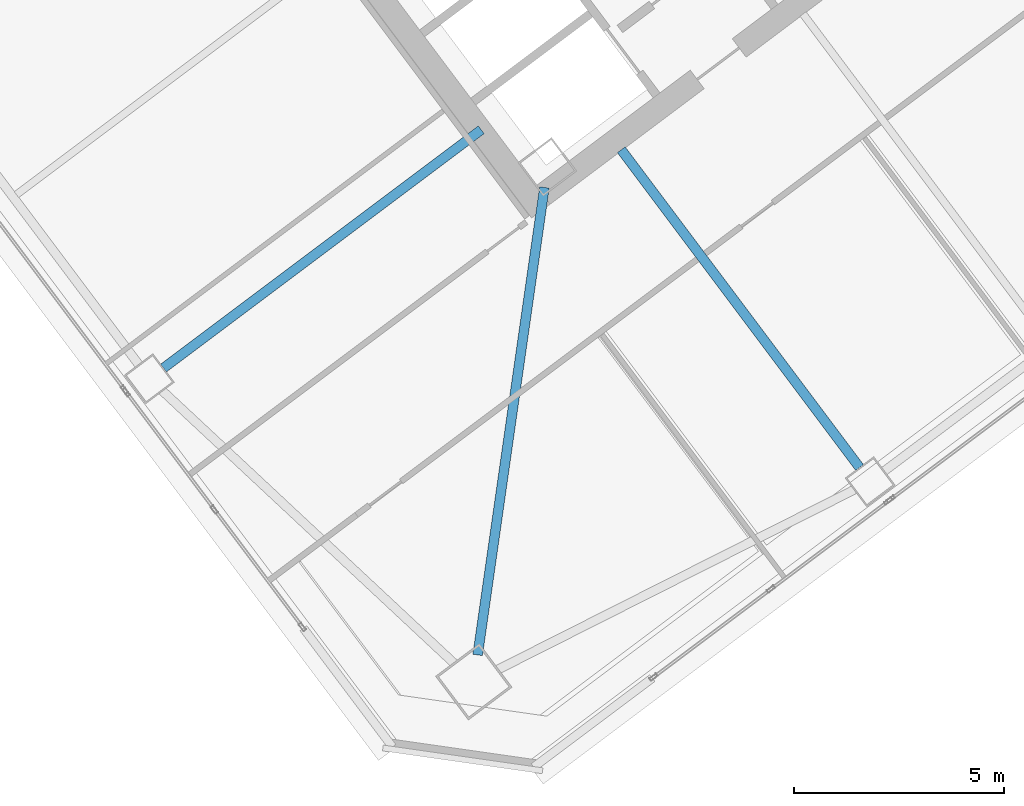
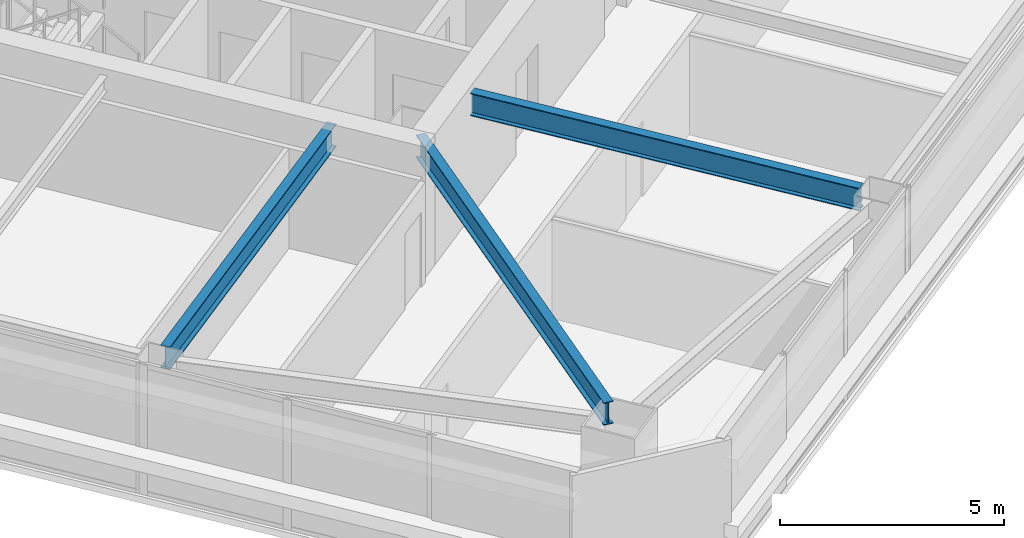
# One storey, part 19 of 44: 3 beams.
"""IFC4 building model written with IfcOpenShell, lengths in metres."""

import ifcopenshell
import ifcopenshell.guid

model = None  # the IFC model being written
_history = None  # IfcOwnerHistory: only IFC2X3 demands one
_inside = {}  # id of a spatial element -> (the spatial element, [elements in it])
_under = {}  # id of a project, library or spatial element -> (it, [spatial elements below it])
_declared = {}  # id of a project -> (the project, [libraries it declares])
_typed = {}  # id of a type object -> (the type object, [elements of that type])
_made_of = {}  # id of a material, layer set ... -> (it, [elements and type objects made of it])


def new_model(schema):
    """Start an empty IFC model of exactly this schema.

    Asked for "IFC4X3", IfcOpenShell would pick the latest addendum, in which some entities
    have other attributes; the version numbers below select the first issue.
    IFC2X3 requires an IfcOwnerHistory on every rooted entity: one is made here for all.
    """
    global model, _history
    if schema == "IFC4X3":
        model = ifcopenshell.file(schema_version=(4, 3, 0, 0))
    else:
        model = ifcopenshell.file(schema=schema)
    _inside.clear()
    _under.clear()
    _declared.clear()
    _typed.clear()
    _made_of.clear()
    _history = None
    if model.schema == "IFC2X3":
        org = make("IfcOrganization", Name="unknown")
        user = make(
            "IfcPersonAndOrganization",
            ThePerson=make("IfcPerson", FamilyName="unknown"),
            TheOrganization=org,
        )
        app = make(
            "IfcApplication",
            ApplicationDeveloper=org,
            Version="unknown",
            ApplicationFullName="unknown",
            ApplicationIdentifier="unknown",
        )
        _history = make(
            "IfcOwnerHistory",
            OwningUser=user,
            OwningApplication=app,
            ChangeAction="ADDED",
            CreationDate=0,
        )
    return model


def make(cls, **values):
    """One entity of the class cls with the attributes given. An attribute that is None is left unset."""
    return model.create_entity(
        cls, **{name: value for name, value in values.items() if value is not None}
    )


def rooted(cls, **values):
    """An entity with a GlobalId (a new one), such as an element, a storey or a relation."""
    return make(cls, GlobalId=ifcopenshell.guid.new(), OwnerHistory=_history, **values)


def si_unit(unit_type, name, prefix=None):
    """IfcSIUnit, for example si_unit("LENGTHUNIT", "METRE", prefix="MILLI")."""
    return make("IfcSIUnit", UnitType=unit_type, Prefix=prefix, Name=name)


def assignment(units):
    """IfcUnitAssignment: the units of a project."""
    return None if units is None else make("IfcUnitAssignment", Units=units)


def point(xyz):
    """IfcCartesianPoint."""
    return None if xyz is None else make("IfcCartesianPoint", Coordinates=xyz)


def direction(xyz):
    """IfcDirection."""
    return None if xyz is None else make("IfcDirection", DirectionRatios=xyz)


def frame(location, z_axis=None, x_axis=None):
    """IfcAxis2Placement3D, a coordinate frame: its origin and axes. An axis left out is left unset."""
    return make(
        "IfcAxis2Placement3D",
        Location=point(location),
        Axis=direction(z_axis),
        RefDirection=direction(x_axis),
    )


def frame_2d(location, x_axis=None):
    """IfcAxis2Placement2D, a coordinate frame in the plane: its origin and x axis."""
    return make(
        "IfcAxis2Placement2D", Location=point(location), RefDirection=direction(x_axis)
    )


def origin():
    """The frame at (0, 0, 0) with its axes left unset."""
    return frame((0.0, 0.0, 0.0))


def origin_2d():
    """The frame at (0, 0) in the plane with its x axis left unset."""
    return frame_2d((0.0, 0.0))


def place(relative_to, where):
    """IfcLocalPlacement: puts the frame where relative to a parent placement (None: the world)."""
    return make(
        "IfcLocalPlacement", PlacementRelTo=relative_to, RelativePlacement=where
    )


def context(
    kind, dimensions, precision=None, world=None, true_north=None, identifier=None
):
    """IfcGeometricRepresentationContext, for example the 3D "Model" context."""
    return make(
        "IfcGeometricRepresentationContext",
        ContextIdentifier=identifier,
        ContextType=kind,
        CoordinateSpaceDimension=dimensions,
        Precision=precision,
        WorldCoordinateSystem=world,
        TrueNorth=true_north,
    )


def subcontext(parent, identifier, kind, view, scale=None):
    """IfcGeometricRepresentationSubContext, for example "Body" below "Model"."""
    return make(
        "IfcGeometricRepresentationSubContext",
        ContextIdentifier=identifier,
        ContextType=kind,
        ParentContext=parent,
        TargetScale=scale,
        TargetView=view,
    )


def project(units=None, contexts=None):
    """IfcProject with its units and contexts."""
    return rooted(
        "IfcProject",
        Name="project",
        RepresentationContexts=contexts,
        UnitsInContext=assignment(units),
    )


def spatial(cls, under=None, at=None, **own):
    """A site, building, storey or space (cls), placed at a placement, below another one or the project."""
    s = rooted(cls, ObjectPlacement=at, **own)
    if under is not None:
        _under.setdefault(under.id(), (under, []))[1].append(s)
    return s


def profile(cls, at=None, kind="AREA", **sizes):
    """A parametric profile (cls). Its sizes go by their IFC names, for example OverallWidth=200.0."""
    return make(cls, ProfileType=kind, Position=at, **sizes)


def i_section(**sizes):
    """IfcIShapeProfileDef."""
    return profile("IfcIShapeProfileDef", **sizes)


def extrude(swept, where, along, depth):
    """IfcExtrudedAreaSolid: the profile swept, set in the frame where, extruded along a direction by depth."""
    return make(
        "IfcExtrudedAreaSolid",
        SweptArea=swept,
        Position=where,
        ExtrudedDirection=direction(along),
        Depth=depth,
    )


def shape(context_of_items, identifier, shape_type, items):
    """IfcShapeRepresentation: the items that make up one representation, for example the "Body"."""
    return make(
        "IfcShapeRepresentation",
        ContextOfItems=context_of_items,
        RepresentationIdentifier=identifier,
        RepresentationType=shape_type,
        Items=items,
    )


def material(Name=None, Category=None):
    """IfcMaterial."""
    return make("IfcMaterial", Name=Name, Category=Category)


def material_profile(
    of_material, cross_section, Name=None, Category=None, Priority=None
):
    """IfcMaterialProfile: a cross section and its material."""
    return make(
        "IfcMaterialProfile",
        Name=Name,
        Material=of_material,
        Profile=cross_section,
        Priority=Priority,
        Category=Category,
    )


def profile_set(profiles, Name=None, composite=None):
    """IfcMaterialProfileSet."""
    return make(
        "IfcMaterialProfileSet",
        Name=Name,
        MaterialProfiles=profiles,
        CompositeProfile=composite,
    )


def made_of(thing, what):
    """Note that an element or type object is made of a material, layer set ...; save() writes the relation."""
    if what is not None:
        _made_of.setdefault(what.id(), (what, []))[1].append(thing)
    return thing


def type_object(cls, material=None, **own):
    """A type object (cls), such as IfcWallType, which elements share."""
    return made_of(rooted(cls, **own), material)


def element(
    cls,
    number,
    at=None,
    inside=None,
    cuts=None,
    type_object=None,
    material=None,
    context=None,
    identifier="Body",
    shape_type=None,
    held_by="IfcProductDefinitionShape",
    body=None,
    shapes=None,
    **own,
):
    """One element of the class cls, such as IfcWall. Its Tag is "e" and its number.

    at: its placement. inside: the storey or other place that contains it. cuts: it is an
    opening in that element (IfcRelVoidsElement). A single representation is given by context,
    identifier, shape_type and body (its items); several are given by shapes. held_by: the class
    of the entity that holds the representations. save() writes the other relations.
    """
    e = rooted(cls, Tag="e%d" % number, ObjectPlacement=at, **own)
    if body is not None:
        shapes = [shape(context, identifier, shape_type, body)]
    if shapes is not None:
        e.Representation = make(held_by, Representations=shapes)
    if inside is not None:
        _inside.setdefault(inside.id(), (inside, []))[1].append(e)
    if cuts is not None:
        rooted(
            "IfcRelVoidsElement", RelatingBuildingElement=cuts, RelatedOpeningElement=e
        )
    if type_object is not None:
        _typed.setdefault(type_object.id(), (type_object, []))[1].append(e)
    return made_of(e, material)


def aggregate(whole, parts):
    """IfcRelAggregates: a whole, such as a stair, and the parts it consists of."""
    return rooted("IfcRelAggregates", RelatingObject=whole, RelatedObjects=parts)


def save(model, path):
    """Write the relations noted so far, then the file.

    IfcRelAggregates (storeys below a building ...), IfcRelContainedInSpatialStructure (elements
    in a storey), IfcRelDefinesByType, IfcRelAssociatesMaterial and IfcRelDeclares: one each for
    every whole, place, type object, material and project.
    """
    for whole, parts in _under.values():
        aggregate(whole, parts)
    for where, things in _inside.values():
        rooted(
            "IfcRelContainedInSpatialStructure",
            RelatedElements=things,
            RelatingStructure=where,
        )
    for kind, things in _typed.values():
        rooted("IfcRelDefinesByType", RelatedObjects=things, RelatingType=kind)
    for what, things in _made_of.values():
        rooted("IfcRelAssociatesMaterial", RelatedObjects=things, RelatingMaterial=what)
    for by, libraries in _declared.values():
        rooted("IfcRelDeclares", RelatingContext=by, RelatedDefinitions=libraries)
    model.write(path)


model = new_model("IFC4")

# Units and contexts
model_context = context("Model", 3, precision=1e-05, world=origin(), true_north=direction((0.0, 1.0)))
body_context = subcontext(model_context, "Body", "Model", "MODEL_VIEW")
ifc_project = project(units=[si_unit("LENGTHUNIT", "METRE"), si_unit("AREAUNIT", "SQUARE_METRE"), si_unit("VOLUMEUNIT", "CUBIC_METRE"), si_unit("PLANEANGLEUNIT", "RADIAN"), si_unit("MASSUNIT", "GRAM", prefix="KILO")], contexts=[model_context])

# Site, building, storey
site_placement = place(None, origin())
site = spatial("IfcSite", under=ifc_project, at=site_placement, CompositionType="ELEMENT")
building_placement = place(site_placement, origin())
building = spatial("IfcBuilding", under=site, at=building_placement, Name="Tashvorn Skyway Center", CompositionType="ELEMENT")
storey_placement = place(building_placement, frame((0.0, 0.0, 149.89990234375)))
storey = spatial("IfcBuildingStorey", under=building, at=storey_placement, Name="L40", CompositionType="ELEMENT", Elevation=149.89990234375)

# Beams
ifc_material = material(Name="Steel ASTM A992 Grade 50", Category="steel")
ifc_material_profile = material_profile(ifc_material, i_section(OverallWidth=0.22998046875, OverallDepth=0.616943359375, WebThickness=0.01318359375, FlangeThickness=0.022216796875, at=origin_2d()), Name="W24X94")
ifc_profile_set = profile_set([ifc_material_profile], Name="Steel ASTM A992 Grade 50")
beam_type = type_object("IfcBeamType", Name="BM-BEAM-W24X94", PredefinedType="BEAM", material=ifc_profile_set)
beam_placement = place(storey_placement, frame((110.93115234375, 10.5185546875, 3.0615234375), z_axis=(0.141430483583, 0.989948189712, 0.0), x_axis=(-0.989948189712, 0.141430483583, 0.0)))
element("IfcBeam", 1, at=beam_placement, inside=storey, type_object=beam_type, Name="Tower 2 L40 Primary Floor Girder MC-SW", PredefinedType="BEAM", context=body_context, shape_type="SweptSolid", body=[
    extrude(i_section(OverallWidth=0.22998046875, OverallDepth=0.616943359375, WebThickness=0.01318359375, FlangeThickness=0.022216796875, at=origin_2d()), origin(), (0.0, 0.0, 1.0), 11.234375),
])
for number, where, z_axis, x_axis, name in (
    (2, (120.01806640625, 14.97607421875, 3.0615234375), (-0.600020667896, 0.799984498661, 0.0), (-0.799984498661, -0.600020667896, 0.0), "Tower 2 L40 Primary Floor Girder FC-S1"),
    (3, (103.4560546875, 17.342041015625, 3.0615234375), (0.800006200354, 0.599991732772, 0.0), (-0.599991732772, 0.800006200354, 0.0), "Tower 2 L40 Primary Floor Girder FC-W2"),
):
    element("IfcBeam", number, at=place(storey_placement, frame(where, z_axis=z_axis, x_axis=x_axis)), inside=storey, type_object=beam_type, Name=name, PredefinedType="BEAM", context=body_context, shape_type="SweptSolid", body=[
        extrude(i_section(OverallWidth=0.22998046875, OverallDepth=0.616943359375, WebThickness=0.01318359375, FlangeThickness=0.022216796875, at=origin_2d()), origin(), (0.0, 0.0, 1.0), 9.449951171875),
    ])

save(model, "model.ifc")
